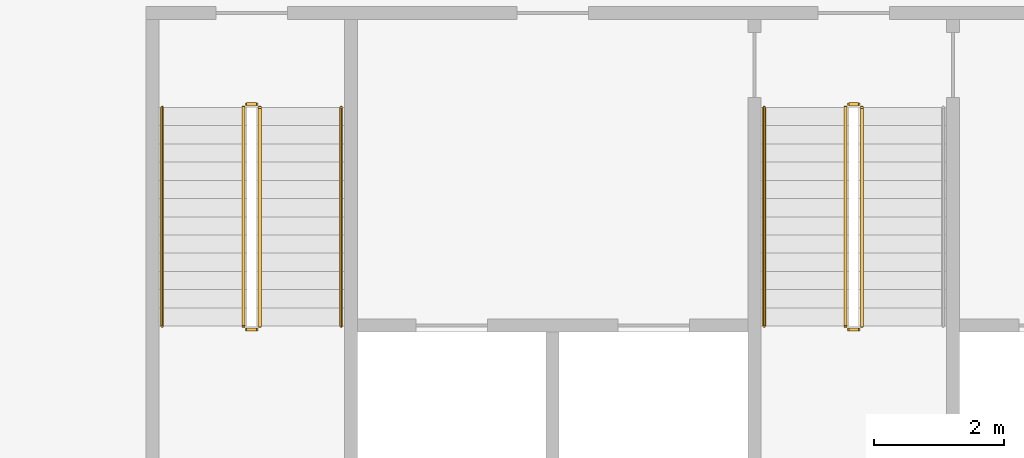
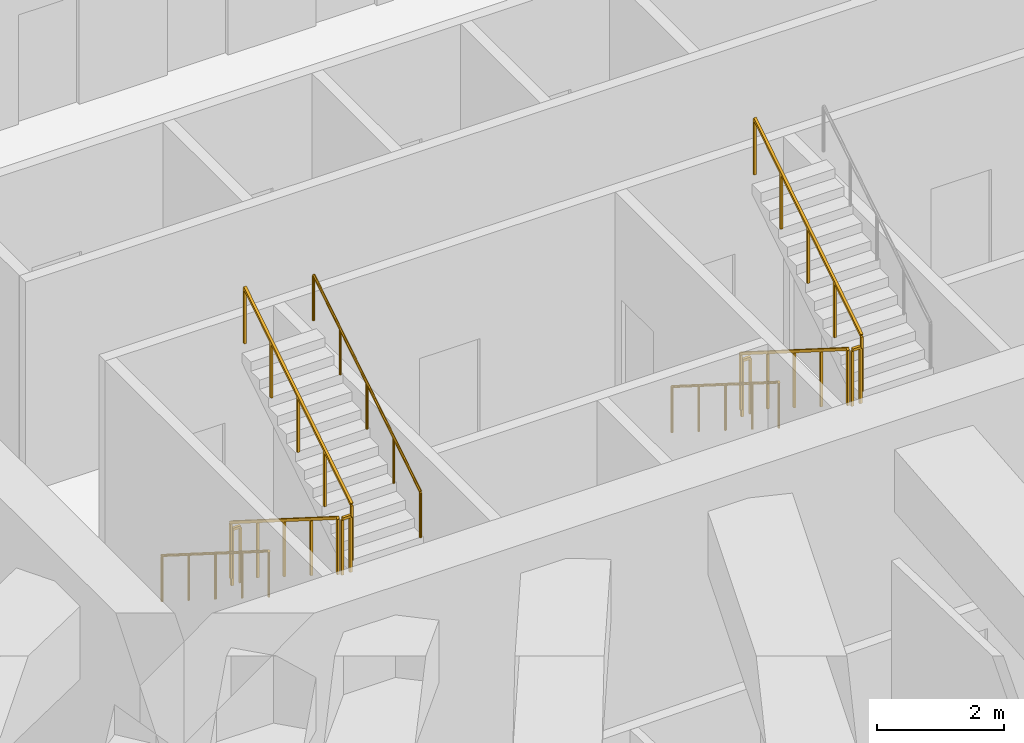
# One storey, part 16 of 19: 11 railings.
"""IFC4 building model written with IfcOpenShell, lengths in metres."""

from ifc_helpers import new_model, si_unit, direction, frame, origin, origin_2d, place, context, subcontext, project, spatial, rectangle, circle, extrude, material, type_object, element, save


model = new_model("IFC4")

# Units and contexts
model_context = context("Model", 3, precision=1e-05, world=origin(), true_north=direction((0.0, 1.0)))
body_context = subcontext(model_context, "Body", "Model", "MODEL_VIEW")
ifc_project = project(units=[si_unit("LENGTHUNIT", "METRE"), si_unit("AREAUNIT", "SQUARE_METRE"), si_unit("VOLUMEUNIT", "CUBIC_METRE"), si_unit("PLANEANGLEUNIT", "RADIAN"), si_unit("MASSUNIT", "GRAM", prefix="KILO")], contexts=[model_context])

# Site, building, storey
site_placement = place(None, origin())
site = spatial("IfcSite", under=ifc_project, at=site_placement, CompositionType="ELEMENT")
building_placement = place(site_placement, origin())
building = spatial("IfcBuilding", under=site, at=building_placement, Name="Mangrove Gate Tower", CompositionType="ELEMENT")
storey_placement = place(building_placement, frame((0.0, 0.0, 226.5)))
storey = spatial("IfcBuildingStorey", under=building, at=storey_placement, Name="L57", CompositionType="ELEMENT", Elevation=226.5)

# Railings
ifc_material_1 = material(Name="Stainless steel 316", Category="steel")
railing_type_1 = type_object("IfcRailingType", Name="Core stair guard 1100", PredefinedType="GUARDRAIL", material=ifc_material_1)
railing_1_placement = place(storey_placement, frame((-9.39990234375, -4.64990234375, 0.177001953125)))
element("IfcRailing", 1, at=railing_1_placement, inside=storey, type_object=railing_type_1, Name="L57 ST1 stair guard 1", PredefinedType="GUARDRAIL", context=body_context, shape_type="SweptSolid", body=[
    extrude(rectangle(XDim=0.048095703125, YDim=0.048095703125, at=origin_2d()), frame((0.0, 0.0, 1.076171875), z_axis=(0.0, -0.845389635667, 0.534150132366), x_axis=(1.0, 0.0, 0.0)), (0.0, 0.0, 1.0), 3.974609375),
    extrude(rectangle(XDim=0.0419921875, YDim=0.0419921875, at=origin_2d()), origin(), (0.0, 0.0, 1.0), 1.052001953125),
    extrude(rectangle(XDim=0.0419921875, YDim=0.0419921875, at=origin_2d()), frame((0.0, -0.840087890625, 0.53076171875)), (0.0, 0.0, 1.0), 1.052001953125),
    extrude(rectangle(XDim=0.0419921875, YDim=0.0419921875, at=origin_2d()), frame((0.0, -1.68017578125, 1.0615234375)), (0.0, 0.0, 1.0), 1.052001953125),
    extrude(rectangle(XDim=0.0419921875, YDim=0.0419921875, at=origin_2d()), frame((0.0, -2.52001953125, 1.59228515625)), (0.0, 0.0, 1.0), 1.052001953125),
    extrude(rectangle(XDim=0.0419921875, YDim=0.0419921875, at=origin_2d()), frame((0.0, -3.360107421875, 2.123046875)), (0.0, 0.0, 1.0), 1.052001953125),
])
railing_2_placement = place(storey_placement, frame((-9.35009765625, -8.06005859375, 2.300048828125)))
element("IfcRailing", 2, at=railing_2_placement, inside=storey, type_object=railing_type_1, Name="L57 ST1 stair guard 2", PredefinedType="GUARDRAIL", context=body_context, shape_type="SweptSolid", body=[
    extrude(rectangle(XDim=0.048095703125, YDim=0.048095703125, at=origin_2d()), frame((0.0, 0.0, 1.076171875), z_axis=(1.0, 0.0, 0.0), x_axis=(0.0, 1.0, 0.0)), (0.0, 0.0, 1.0), 0.150146484375),
    extrude(rectangle(XDim=0.0419921875, YDim=0.0419921875, at=origin_2d()), origin(), (0.0, 0.0, 1.0), 1.052001953125),
    extrude(rectangle(XDim=0.0419921875, YDim=0.0419921875, at=origin_2d()), frame((0.150146484375, 0.0, 0.0)), (0.0, 0.0, 1.0), 1.052001953125),
])
railing_3_placement = place(storey_placement, frame((-9.14990234375, -8.010009765625, 2.476806640625)))
element("IfcRailing", 3, at=railing_3_placement, inside=storey, type_object=railing_type_1, Name="L57 ST1 stair guard 3", PredefinedType="GUARDRAIL", context=body_context, shape_type="SweptSolid", body=[
    extrude(rectangle(XDim=0.048095703125, YDim=0.048095703125, at=origin_2d()), frame((0.0, 0.0, 1.076171875), z_axis=(0.0, 0.845361898145, 0.534194029511), x_axis=(-1.0, 0.0, 0.0)), (0.0, 0.0, 1.0), 3.974853515625),
    extrude(rectangle(XDim=0.0419921875, YDim=0.0419921875, at=origin_2d()), origin(), (0.0, 0.0, 1.0), 1.052001953125),
    extrude(rectangle(XDim=0.0419921875, YDim=0.0419921875, at=origin_2d()), frame((0.0, 0.840087890625, 0.53076171875)), (0.0, 0.0, 1.0), 1.052001953125),
    extrude(rectangle(XDim=0.0419921875, YDim=0.0419921875, at=origin_2d()), frame((0.0, 1.68017578125, 1.0615234375)), (0.0, 0.0, 1.0), 1.052001953125),
    extrude(rectangle(XDim=0.0419921875, YDim=0.0419921875, at=origin_2d()), frame((0.0, 2.52001953125, 1.592529296875)), (0.0, 0.0, 1.0), 1.052001953125),
    extrude(rectangle(XDim=0.0419921875, YDim=0.0419921875, at=origin_2d()), frame((0.0, 3.360107421875, 2.123291015625)), (0.0, 0.0, 1.0), 1.052001953125),
])
railing_4_placement = place(storey_placement, frame((-9.35009765625, -4.60009765625, 0.0)))
element("IfcRailing", 4, at=railing_4_placement, inside=storey, type_object=railing_type_1, Name="L57 ST1 stair guard 4", PredefinedType="GUARDRAIL", context=body_context, shape_type="SweptSolid", body=[
    extrude(rectangle(XDim=0.048095703125, YDim=0.048095703125, at=origin_2d()), frame((0.0, 0.0, 1.076171875), z_axis=(1.0, 0.0, 0.0), x_axis=(0.0, 1.0, 0.0)), (0.0, 0.0, 1.0), 0.150146484375),
    extrude(rectangle(XDim=0.0419921875, YDim=0.0419921875, at=origin_2d()), origin(), (0.0, 0.0, 1.0), 1.052001953125),
    extrude(rectangle(XDim=0.0419921875, YDim=0.0419921875, at=origin_2d()), frame((0.150146484375, 0.0, 0.0)), (0.0, 0.0, 1.0), 1.052001953125),
])
railing_5_placement = place(storey_placement, frame((-0.14990234375, -4.64990234375, 0.177001953125)))
element("IfcRailing", 5, at=railing_5_placement, inside=storey, type_object=railing_type_1, Name="L57 ST2 stair guard 1", PredefinedType="GUARDRAIL", context=body_context, shape_type="SweptSolid", body=[
    extrude(rectangle(XDim=0.048095703125, YDim=0.048095703125, at=origin_2d()), frame((0.0, 0.0, 1.076171875), z_axis=(0.0, -0.845389635667, 0.534150132366), x_axis=(1.0, 0.0, 0.0)), (0.0, 0.0, 1.0), 3.974609375),
    extrude(rectangle(XDim=0.0419921875, YDim=0.0419921875, at=origin_2d()), origin(), (0.0, 0.0, 1.0), 1.052001953125),
    extrude(rectangle(XDim=0.0419921875, YDim=0.0419921875, at=origin_2d()), frame((0.0, -0.840087890625, 0.53076171875)), (0.0, 0.0, 1.0), 1.052001953125),
    extrude(rectangle(XDim=0.0419921875, YDim=0.0419921875, at=origin_2d()), frame((0.0, -1.68017578125, 1.0615234375)), (0.0, 0.0, 1.0), 1.052001953125),
    extrude(rectangle(XDim=0.0419921875, YDim=0.0419921875, at=origin_2d()), frame((0.0, -2.52001953125, 1.59228515625)), (0.0, 0.0, 1.0), 1.052001953125),
    extrude(rectangle(XDim=0.0419921875, YDim=0.0419921875, at=origin_2d()), frame((0.0, -3.360107421875, 2.123046875)), (0.0, 0.0, 1.0), 1.052001953125),
])
railing_6_placement = place(storey_placement, frame((-0.10009765625, -8.06005859375, 2.300048828125)))
element("IfcRailing", 6, at=railing_6_placement, inside=storey, type_object=railing_type_1, Name="L57 ST2 stair guard 2", PredefinedType="GUARDRAIL", context=body_context, shape_type="SweptSolid", body=[
    extrude(rectangle(XDim=0.048095703125, YDim=0.048095703125, at=origin_2d()), frame((0.0, 0.0, 1.076171875), z_axis=(1.0, 0.0, 0.0), x_axis=(0.0, 1.0, 0.0)), (0.0, 0.0, 1.0), 0.150146484375),
    extrude(rectangle(XDim=0.0419921875, YDim=0.0419921875, at=origin_2d()), origin(), (0.0, 0.0, 1.0), 1.052001953125),
    extrude(rectangle(XDim=0.0419921875, YDim=0.0419921875, at=origin_2d()), frame((0.150146484375, 0.0, 0.0)), (0.0, 0.0, 1.0), 1.052001953125),
])
railing_7_placement = place(storey_placement, frame((0.10009765625, -8.010009765625, 2.476806640625)))
element("IfcRailing", 7, at=railing_7_placement, inside=storey, type_object=railing_type_1, Name="L57 ST2 stair guard 3", PredefinedType="GUARDRAIL", context=body_context, shape_type="SweptSolid", body=[
    extrude(rectangle(XDim=0.048095703125, YDim=0.048095703125, at=origin_2d()), frame((0.0, 0.0, 1.076171875), z_axis=(0.0, 0.845361898145, 0.534194029511), x_axis=(-1.0, 0.0, 0.0)), (0.0, 0.0, 1.0), 3.974853515625),
    extrude(rectangle(XDim=0.0419921875, YDim=0.0419921875, at=origin_2d()), origin(), (0.0, 0.0, 1.0), 1.052001953125),
    extrude(rectangle(XDim=0.0419921875, YDim=0.0419921875, at=origin_2d()), frame((0.0, 0.840087890625, 0.53076171875)), (0.0, 0.0, 1.0), 1.052001953125),
    extrude(rectangle(XDim=0.0419921875, YDim=0.0419921875, at=origin_2d()), frame((0.0, 1.68017578125, 1.0615234375)), (0.0, 0.0, 1.0), 1.052001953125),
    extrude(rectangle(XDim=0.0419921875, YDim=0.0419921875, at=origin_2d()), frame((0.0, 2.52001953125, 1.592529296875)), (0.0, 0.0, 1.0), 1.052001953125),
    extrude(rectangle(XDim=0.0419921875, YDim=0.0419921875, at=origin_2d()), frame((0.0, 3.360107421875, 2.123291015625)), (0.0, 0.0, 1.0), 1.052001953125),
])
railing_8_placement = place(storey_placement, frame((-0.10009765625, -4.60009765625, 0.0)))
element("IfcRailing", 8, at=railing_8_placement, inside=storey, type_object=railing_type_1, Name="L57 ST2 stair guard 4", PredefinedType="GUARDRAIL", context=body_context, shape_type="SweptSolid", body=[
    extrude(rectangle(XDim=0.048095703125, YDim=0.048095703125, at=origin_2d()), frame((0.0, 0.0, 1.076171875), z_axis=(1.0, 0.0, 0.0), x_axis=(0.0, 1.0, 0.0)), (0.0, 0.0, 1.0), 0.150146484375),
    extrude(rectangle(XDim=0.0419921875, YDim=0.0419921875, at=origin_2d()), origin(), (0.0, 0.0, 1.0), 1.052001953125),
    extrude(rectangle(XDim=0.0419921875, YDim=0.0419921875, at=origin_2d()), frame((0.150146484375, 0.0, 0.0)), (0.0, 0.0, 1.0), 1.052001953125),
])
ifc_material_2 = material(Name="Stainless steel 316", Category="steel")
railing_type_2 = type_object("IfcRailingType", Name="Core stair handrail 900", PredefinedType="HANDRAIL", material=ifc_material_2)
railing_9_placement = place(storey_placement, frame((-10.64990234375, -4.64990234375, 0.177001953125)))
element("IfcRailing", 9, at=railing_9_placement, inside=storey, type_object=railing_type_2, Name="L57 ST1 stair handrail 1", PredefinedType="HANDRAIL", context=body_context, shape_type="SweptSolid", body=[
    extrude(circle(Radius=0.02392578125, at=origin_2d()), frame((0.0, 0.0, 0.8759765625), z_axis=(0.0, -0.845389635667, 0.534150132366), x_axis=(1.0, 0.0, 0.0)), (0.0, 0.0, 1.0), 3.974609375),
    extrude(circle(Radius=0.02099609375, at=origin_2d()), origin(), (0.0, 0.0, 1.0), 0.851806640625),
    extrude(circle(Radius=0.02099609375, at=origin_2d()), frame((0.0, -0.840087890625, 0.53076171875)), (0.0, 0.0, 1.0), 0.851806640625),
    extrude(circle(Radius=0.02099609375, at=origin_2d()), frame((0.0, -1.68017578125, 1.0615234375)), (0.0, 0.0, 1.0), 0.851806640625),
    extrude(circle(Radius=0.02099609375, at=origin_2d()), frame((0.0, -2.52001953125, 1.59228515625)), (0.0, 0.0, 1.0), 0.851806640625),
    extrude(circle(Radius=0.02099609375, at=origin_2d()), frame((0.0, -3.360107421875, 2.123046875)), (0.0, 0.0, 1.0), 0.851806640625),
])
railing_10_placement = place(storey_placement, frame((-7.89990234375, -8.010009765625, 2.476806640625)))
element("IfcRailing", 10, at=railing_10_placement, inside=storey, type_object=railing_type_2, Name="L57 ST1 stair handrail 2", PredefinedType="HANDRAIL", context=body_context, shape_type="SweptSolid", body=[
    extrude(circle(Radius=0.02392578125, at=origin_2d()), frame((0.0, 0.0, 0.8759765625), z_axis=(0.0, 0.845361898145, 0.534194029511), x_axis=(-1.0, 0.0, 0.0)), (0.0, 0.0, 1.0), 3.974853515625),
    extrude(circle(Radius=0.02099609375, at=origin_2d()), origin(), (0.0, 0.0, 1.0), 0.851806640625),
    extrude(circle(Radius=0.02099609375, at=origin_2d()), frame((0.0, 0.840087890625, 0.53076171875)), (0.0, 0.0, 1.0), 0.851806640625),
    extrude(circle(Radius=0.02099609375, at=origin_2d()), frame((0.0, 1.68017578125, 1.0615234375)), (0.0, 0.0, 1.0), 0.851806640625),
    extrude(circle(Radius=0.02099609375, at=origin_2d()), frame((0.0, 2.52001953125, 1.592529296875)), (0.0, 0.0, 1.0), 0.851806640625),
    extrude(circle(Radius=0.02099609375, at=origin_2d()), frame((0.0, 3.360107421875, 2.123291015625)), (0.0, 0.0, 1.0), 0.851806640625),
])
railing_11_placement = place(storey_placement, frame((-1.39990234375, -4.64990234375, 0.177001953125)))
element("IfcRailing", 11, at=railing_11_placement, inside=storey, type_object=railing_type_2, Name="L57 ST2 stair handrail 1", PredefinedType="HANDRAIL", context=body_context, shape_type="SweptSolid", body=[
    extrude(circle(Radius=0.02392578125, at=origin_2d()), frame((0.0, 0.0, 0.8759765625), z_axis=(0.0, -0.845389635667, 0.534150132366), x_axis=(1.0, 0.0, 0.0)), (0.0, 0.0, 1.0), 3.974609375),
    extrude(circle(Radius=0.02099609375, at=origin_2d()), origin(), (0.0, 0.0, 1.0), 0.851806640625),
    extrude(circle(Radius=0.02099609375, at=origin_2d()), frame((0.0, -0.840087890625, 0.53076171875)), (0.0, 0.0, 1.0), 0.851806640625),
    extrude(circle(Radius=0.02099609375, at=origin_2d()), frame((0.0, -1.68017578125, 1.0615234375)), (0.0, 0.0, 1.0), 0.851806640625),
    extrude(circle(Radius=0.02099609375, at=origin_2d()), frame((0.0, -2.52001953125, 1.59228515625)), (0.0, 0.0, 1.0), 0.851806640625),
    extrude(circle(Radius=0.02099609375, at=origin_2d()), frame((0.0, -3.360107421875, 2.123046875)), (0.0, 0.0, 1.0), 0.851806640625),
])

save(model, "model.ifc")
